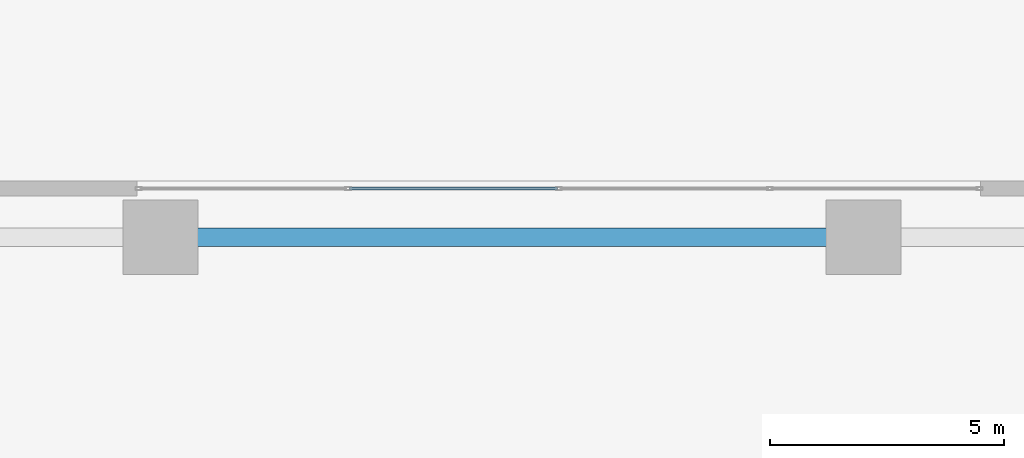
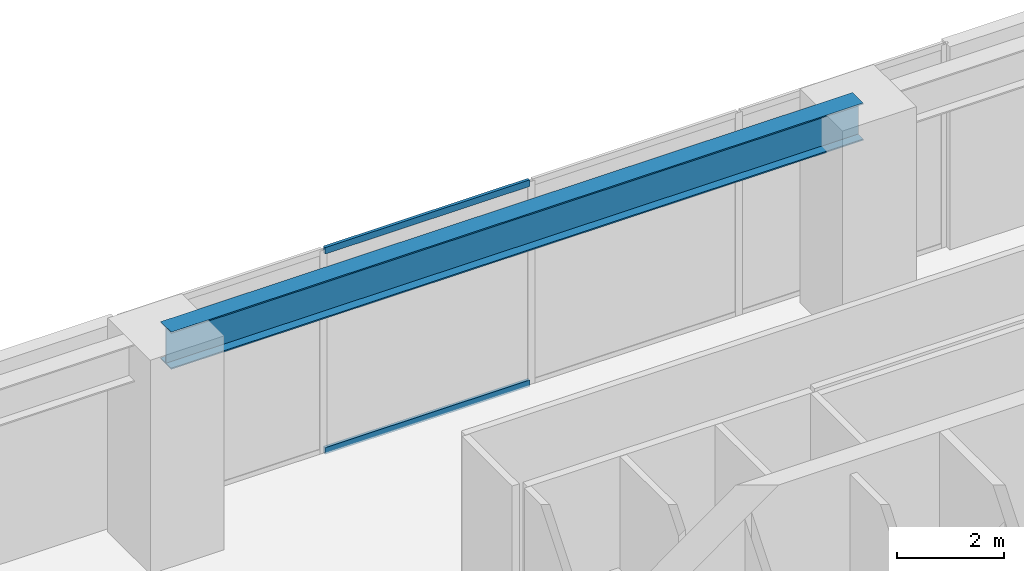
# One storey, part 12 of 28: 2 members, 1 beam, 1 element without a shape of its own.
"""IFC4 building model written with IfcOpenShell, lengths in metres."""

from ifc_helpers import new_model, si_unit, direction, frame, origin, origin_2d, place, context, subcontext, project, spatial, hollow_rectangle, i_section, extrude, source, transform, mapped, material, layer, layer_set, material_profile, profile_set, type_object, type_shapes, element, aggregate, save


model = new_model("IFC4")

# Units and contexts
model_context = context("Model", 3, precision=1e-05, world=origin(), true_north=direction((0.0, 1.0)))
body_context = subcontext(model_context, "Body", "Model", "MODEL_VIEW")
ifc_project = project(units=[si_unit("LENGTHUNIT", "METRE"), si_unit("AREAUNIT", "SQUARE_METRE"), si_unit("VOLUMEUNIT", "CUBIC_METRE"), si_unit("PLANEANGLEUNIT", "RADIAN"), si_unit("MASSUNIT", "GRAM", prefix="KILO")], contexts=[model_context])

# Site, building, storey
site_placement = place(None, origin())
site = spatial("IfcSite", under=ifc_project, at=site_placement, CompositionType="ELEMENT")
building_placement = place(site_placement, origin())
building = spatial("IfcBuilding", under=site, at=building_placement, Name="Talar Marvaseh", CompositionType="ELEMENT")
storey_placement = place(building_placement, origin())
storey = spatial("IfcBuildingStorey", under=building, at=storey_placement, Name="L00", CompositionType="ELEMENT", Elevation=0.0)

# Beam
ifc_material_1 = material(Name="Steel S355", Category="steel")
ifc_material_profile_1 = material_profile(ifc_material_1, i_section(OverallWidth=0.39990234375, OverallDepth=0.85498046875, WebThickness=0.018310546875, FlangeThickness=0.029296875, at=origin_2d()), Name="W840x299")
ifc_profile_set_1 = profile_set([ifc_material_profile_1], Name="Steel S355")
beam_type = type_object("IfcBeamType", Name="Concourse Primary Girder W840x299", PredefinedType="BEAM", material=ifc_profile_set_1)
beam_placement = place(storey_placement, frame((18.5, 46.800048828125, 4.472412109375), z_axis=(1.0, 0.0, 0.0), x_axis=(0.0, 1.0, 0.0)))
element("IfcBeam", 1, at=beam_placement, inside=storey, type_object=beam_type, Name="L00 Concourse Primary Girder W840x299", PredefinedType="BEAM", context=body_context, shape_type="SweptSolid", body=[
    extrude(i_section(OverallWidth=0.39990234375, OverallDepth=0.85498046875, WebThickness=0.018310546875, FlangeThickness=0.029296875, at=origin_2d()), origin(), (0.0, 0.0, 1.0), 15.0),
])

# Curtain wall, members
ifc_material_2 = material(Name="Architectural Aluminium", Category="aluminium")
ifc_layer = layer(ifc_material_2, 0.25)
ifc_layer_set = layer_set([ifc_layer], Name="Architectural Aluminium")
curtain_wall_type = type_object("IfcCurtainWallType", Name="Station Podium Monumental Iwan Curtain Wall", PredefinedType="NOTDEFINED", material=ifc_layer_set)
curtain_wall_placement = place(storey_placement, origin())
curtain_wall = element("IfcCurtainWall", 2, at=curtain_wall_placement, inside=storey, type_object=curtain_wall_type, Name="L00 Station Podium Monumental Iwan Curtain Wall", PredefinedType="NOTDEFINED")
ifc_material_profile_2 = material_profile(ifc_material_2, hollow_rectangle(XDim=0.06494140625, YDim=0.14990234375, WallThickness=0.00390625, at=origin_2d()), Name="RHS150x65x4")
ifc_profile_set_2 = profile_set([ifc_material_profile_2], Name="Architectural Aluminium")
member_type = type_object("IfcMemberType", Name="Unitised Curtain Wall Slim Transom RHS150x65x4", PredefinedType="USERDEFINED", material=ifc_profile_set_2)
shared_shape = source(origin(), body_context, "Body", "SweptSolid", [
    extrude(hollow_rectangle(XDim=0.06494140625, YDim=0.14990234375, WallThickness=0.00390625, at=origin_2d()), origin(), (0.0, 0.0, 1.0), 4.43505859375),
])
type_shapes(member_type, [shared_shape])
member_1_placement = place(storey_placement, frame((22.532470703125, 47.840087890625, 0.032470703125), z_axis=(1.0, 0.0, 0.0), x_axis=(0.0, 1.0, 0.0)))
member_1 = element("IfcMember", 3, at=member_1_placement, type_object=member_type, Name="CW-POD transom 2.1", ObjectType="TRANSOM", PredefinedType="USERDEFINED", context=body_context, shape_type="MappedRepresentation", body=[
    mapped(shared_shape, transform((0.0, 0.0, 0.0), x_axis=(1.0, 0.0, 0.0), y_axis=(0.0, 1.0, 0.0), z_axis=(0.0, 0.0, 1.0), scale=1.0)),
])
member_2_placement = place(storey_placement, frame((22.532470703125, 47.840087890625, 4.617431640625), z_axis=(1.0, 0.0, 0.0), x_axis=(0.0, 1.0, 0.0)))
member_2 = element("IfcMember", 4, at=member_2_placement, type_object=member_type, Name="CW-POD transom 2.2", ObjectType="TRANSOM", PredefinedType="USERDEFINED", context=body_context, shape_type="MappedRepresentation", body=[
    mapped(shared_shape, transform((0.0, 0.0, 0.0), x_axis=(1.0, 0.0, 0.0), y_axis=(0.0, 1.0, 0.0), z_axis=(0.0, 0.0, 1.0), scale=1.0)),
])
aggregate(curtain_wall, [member_1, member_2])

save(model, "model.ifc")
